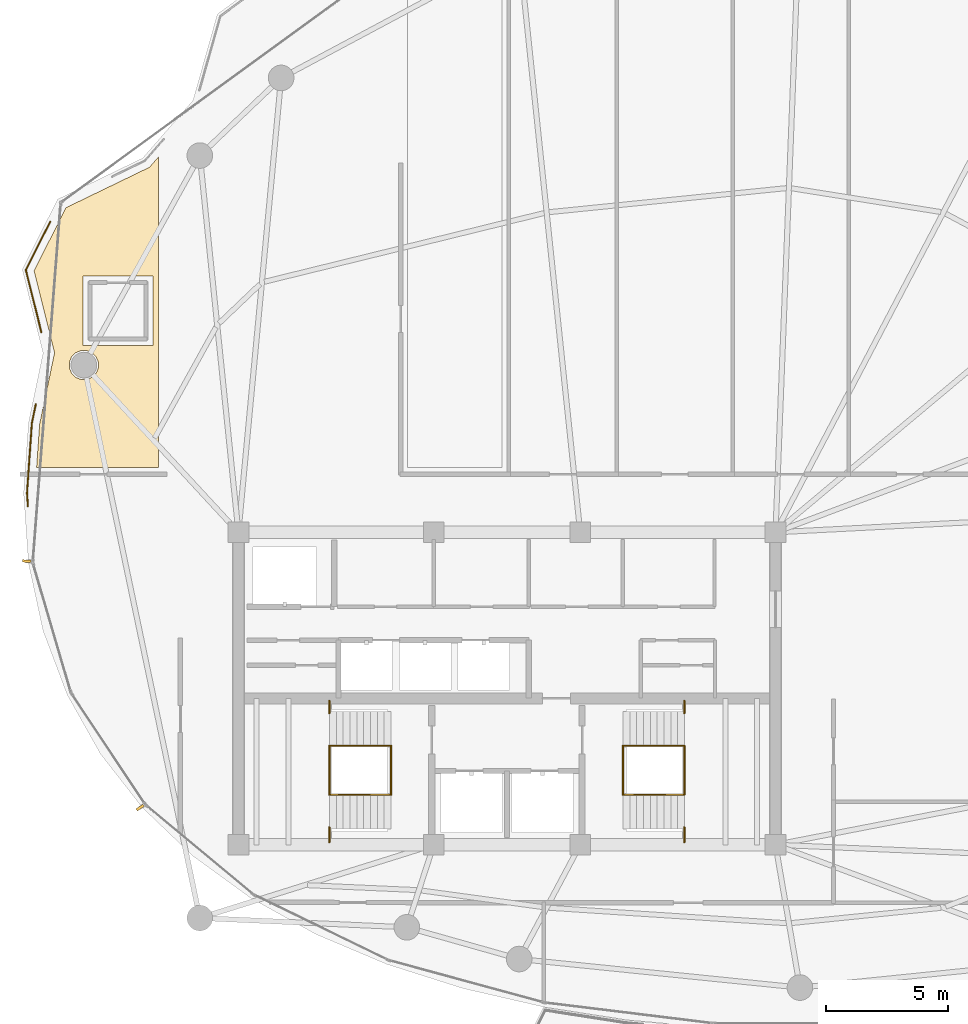
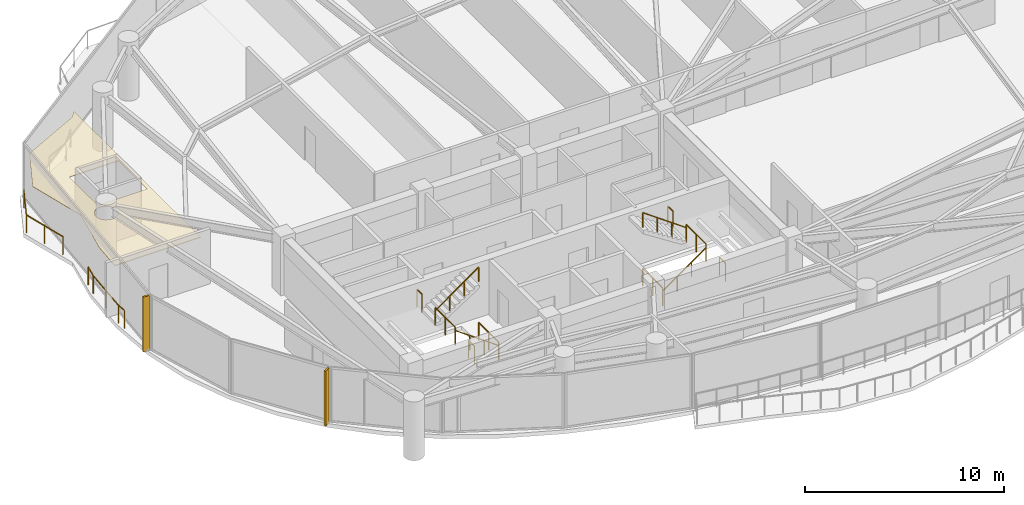
# One storey, part 28 of 30: 14 railings, 2 shading devices, 1 covering.
"""IFC4 building model written with IfcOpenShell, lengths in metres."""

from ifc_helpers import new_model, si_unit, direction, frame, origin, origin_2d, place, context, subcontext, project, spatial, polyline, rectangle, outline, extrude, material, layer, layer_set, type_object, element, save


model = new_model("IFC4")

# Units and contexts
model_context = context("Model", 3, precision=1e-05, world=origin(), true_north=direction((0.0, 1.0)))
body_context = subcontext(model_context, "Body", "Model", "MODEL_VIEW")
ifc_project = project(units=[si_unit("LENGTHUNIT", "METRE"), si_unit("AREAUNIT", "SQUARE_METRE"), si_unit("VOLUMEUNIT", "CUBIC_METRE"), si_unit("PLANEANGLEUNIT", "RADIAN"), si_unit("MASSUNIT", "GRAM", prefix="KILO")], contexts=[model_context])

# Site, building, storey
site_placement = place(None, origin())
site = spatial("IfcSite", under=ifc_project, at=site_placement, CompositionType="ELEMENT")
building_placement = place(site_placement, origin())
building = spatial("IfcBuilding", under=site, at=building_placement, Name="Kazevale Care Tower and Concert Hall", CompositionType="ELEMENT")
storey_placement = place(building_placement, frame((0.0, 0.0, 242.39990234375)))
storey = spatial("IfcBuildingStorey", under=building, at=storey_placement, Name="L64", CompositionType="ELEMENT", Elevation=242.39990234375)

# Covering
ifc_material_1 = material(Name="Acoustic Plaster and Hinoki Wood", Category="wood")
ifc_layer = layer(ifc_material_1, 0.0400390625)
ifc_layer_set = layer_set([ifc_layer], Name="Acoustic Plaster and Hinoki Wood")
covering_type = type_object("IfcCoveringType", Name="Acoustic Perforated Wood-Gypsum Ceiling", PredefinedType="CEILING", material=ifc_layer_set)
covering_placement = place(storey_placement, frame((0.0, 0.0, 2.710205078125)))
element("IfcCovering", 1, at=covering_placement, inside=storey, type_object=covering_type, Name="clg:L64:1", PredefinedType="CEILING", context=body_context, shape_type="SweptSolid", body=[
    extrude(outline(polyline([(13.632080078125, 47.111083984375), (14.93310546875, 49.694091796875), (18.35888671875, 51.35302734375), (18.719970703125, 51.76611328125), (18.719970703125, 39.054931640625), (13.73388671875, 39.054931640625), (13.85693359375, 40.824951171875), (14.468994140625, 43.75), (13.632080078125, 47.111083984375)]), holes=[polyline([(15.637939453125, 46.905029296875), (15.637939453125, 44.044921875), (18.498046875, 44.044921875), (18.498046875, 46.905029296875), (15.637939453125, 46.905029296875)]), polyline([(16.262939453125, 43.367919921875), (16.173095703125, 43.5859375), (16.006103515625, 43.7529296875), (15.7880859375, 43.843017578125), (15.552001953125, 43.843017578125), (15.333984375, 43.7529296875), (15.1669921875, 43.5859375), (15.076904296875, 43.367919921875), (15.076904296875, 43.132080078125), (15.1669921875, 42.9140625), (15.333984375, 42.7470703125), (15.552001953125, 42.656982421875), (15.7880859375, 42.656982421875), (16.006103515625, 42.7470703125), (16.173095703125, 42.9140625), (16.262939453125, 43.132080078125), (16.262939453125, 43.367919921875)])]), origin(), (0.0, 0.0, 1.0), 0.039794921875),
])

# Railings
ifc_material_2 = material(Name="Anodised Bronze Aluminium and Laminated Glass", Category="aluminium")
railing_type_1 = type_object("IfcRailingType", Name="Balcony and Terrace Balustrade 1120", PredefinedType="BALUSTRADE", material=ifc_material_2)
railing_1_placement = place(storey_placement, frame((13.3779296875, 37.467041015625, 0.0)))
element("IfcRailing", 2, at=railing_1_placement, inside=storey, type_object=railing_type_1, Name="rail:L64:perim:1", PredefinedType="BALUSTRADE", context=body_context, shape_type="SweptSolid", body=[
    extrude(rectangle(XDim=0.048095703125, YDim=0.048095703125, at=origin_2d()), frame((0.0, 0.0, 1.09619140625), z_axis=(-0.070824900757, 0.997488763562, 0.0), x_axis=(-0.997488763562, -0.070824900757, 0.0)), (0.0, 0.0, 1.0), 0.5341796875),
    extrude(rectangle(XDim=0.048095703125, YDim=0.048095703125, at=origin_2d()), frame((-0.037841796875, 0.532958984375, 1.09619140625), z_axis=(0.069189590327, 0.997603528758, 0.0), x_axis=(-0.997603528758, 0.069189590327, 0.0)), (0.0, 0.0, 1.0), 2.875732421875),
    extrude(rectangle(XDim=0.048095703125, YDim=0.048095703125, at=origin_2d()), frame((0.1611328125, 3.40185546875, 1.09619140625), z_axis=(0.204489697566, 0.978868716218, 0.0), x_axis=(-0.978868716218, 0.204489697566, 0.0)), (0.0, 0.0, 1.0), 0.801025390625),
    extrude(rectangle(XDim=0.0419921875, YDim=0.0419921875, at=origin_2d()), origin(), (0.0, 0.0, 1.0), 1.072021484375),
    extrude(rectangle(XDim=0.0419921875, YDim=0.0419921875, at=origin_2d()), frame((-0.037841796875, 0.532958984375, 0.0)), (0.0, 0.0, 1.0), 1.072021484375),
    extrude(rectangle(XDim=0.0419921875, YDim=0.0419921875, at=origin_2d()), frame((0.0615234375, 1.96728515625, 0.0)), (0.0, 0.0, 1.0), 1.072021484375),
    extrude(rectangle(XDim=0.0419921875, YDim=0.0419921875, at=origin_2d()), frame((0.1611328125, 3.40185546875, 0.0)), (0.0, 0.0, 1.0), 1.072021484375),
    extrude(rectangle(XDim=0.0419921875, YDim=0.0419921875, at=origin_2d()), frame((0.324951171875, 4.18603515625, 0.0)), (0.0, 0.0, 1.0), 1.072021484375),
])
railing_2_placement = place(storey_placement, frame((13.930908203125, 44.5849609375, 0.0)))
element("IfcRailing", 3, at=railing_2_placement, inside=storey, type_object=railing_type_1, Name="rail:L64:perim:2", PredefinedType="BALUSTRADE", context=body_context, shape_type="SweptSolid", body=[
    extrude(rectangle(XDim=0.048095703125, YDim=0.048095703125, at=origin_2d()), frame((0.0, 0.0, 1.09619140625), z_axis=(-0.241796398664, 0.970327007556, 0.0), x_axis=(-0.970327007556, -0.241796398664, 0.0)), (0.0, 0.0, 1.0), 2.642333984375),
    extrude(rectangle(XDim=0.048095703125, YDim=0.048095703125, at=origin_2d()), frame((-0.638916015625, 2.56396484375, 1.09619140625), z_axis=(0.450269666924, 0.892892617871, 0.0), x_axis=(-0.892892617871, 0.450269666924, 0.0)), (0.0, 0.0, 1.0), 2.202880859375),
    extrude(rectangle(XDim=0.0419921875, YDim=0.0419921875, at=origin_2d()), origin(), (0.0, 0.0, 1.0), 1.072021484375),
    extrude(rectangle(XDim=0.0419921875, YDim=0.0419921875, at=origin_2d()), frame((-0.3193359375, 1.281982421875, 0.0)), (0.0, 0.0, 1.0), 1.072021484375),
    extrude(rectangle(XDim=0.0419921875, YDim=0.0419921875, at=origin_2d()), frame((-0.638916015625, 2.56396484375, 0.0)), (0.0, 0.0, 1.0), 1.072021484375),
    extrude(rectangle(XDim=0.0419921875, YDim=0.0419921875, at=origin_2d()), frame((0.35302734375, 4.531005859375, 0.0)), (0.0, 0.0, 1.0), 1.072021484375),
])
ifc_material_3 = material(Name="Stainless Steel 316", Category="steel")
railing_type_2 = type_object("IfcRailingType", Name="Stair Pitch Handrail 920", PredefinedType="HANDRAIL", material=ifc_material_3)
railing_3_placement = place(storey_placement, frame((28.25, 25.64990234375, 0.0)))
element("IfcRailing", 4, at=railing_3_placement, inside=storey, type_object=railing_type_2, Name="stair:L64:ST1:hr1", PredefinedType="HANDRAIL", context=body_context, shape_type="SweptSolid", body=[
    extrude(rectangle(XDim=0.048095703125, YDim=0.048095703125, at=origin_2d()), frame((0.0, 0.0, 0.89599609375), z_axis=(-0.813728144527, 0.0, 0.581245650998), x_axis=(0.0, -1.0, 0.0)), (0.0, 0.0, 1.0), 3.096923828125),
    extrude(rectangle(XDim=0.0419921875, YDim=0.0419921875, at=origin_2d()), origin(), (0.0, 0.0, 1.0), 0.871826171875),
    extrude(rectangle(XDim=0.0419921875, YDim=0.0419921875, at=origin_2d()), frame((-0.840087890625, 0.0, 0.60009765625)), (0.0, 0.0, 1.0), 0.871826171875),
    extrude(rectangle(XDim=0.0419921875, YDim=0.0419921875, at=origin_2d()), frame((-1.679931640625, 0.0, 1.199951171875)), (0.0, 0.0, 1.0), 0.871826171875),
    extrude(rectangle(XDim=0.0419921875, YDim=0.0419921875, at=origin_2d()), frame((-2.52001953125, 0.0, 1.800048828125)), (0.0, 0.0, 1.0), 0.871826171875),
])
for number, where, name in (
    (5, (25.72998046875, 27.64990234375, 1.800048828125), "stair:L64:ST1:hr2"),
    (6, (37.75, 25.64990234375, 0.0), "stair:L64:ST2:hr1"),
):
    element("IfcRailing", number, at=place(storey_placement, frame(where)), inside=storey, type_object=railing_type_2, Name=name, PredefinedType="HANDRAIL", context=body_context, shape_type="SweptSolid", body=[
        extrude(rectangle(XDim=0.048095703125, YDim=0.048095703125, at=origin_2d()), frame((0.0, 0.0, 0.89599609375), z_axis=(0.813728144527, 0.0, 0.581245650998), x_axis=(0.0, 1.0, 0.0)), (0.0, 0.0, 1.0), 3.096923828125),
        extrude(rectangle(XDim=0.0419921875, YDim=0.0419921875, at=origin_2d()), origin(), (0.0, 0.0, 1.0), 0.871826171875),
        extrude(rectangle(XDim=0.0419921875, YDim=0.0419921875, at=origin_2d()), frame((0.840087890625, 0.0, 0.60009765625)), (0.0, 0.0, 1.0), 0.871826171875),
        extrude(rectangle(XDim=0.0419921875, YDim=0.0419921875, at=origin_2d()), frame((1.679931640625, 0.0, 1.199951171875)), (0.0, 0.0, 1.0), 0.871826171875),
        extrude(rectangle(XDim=0.0419921875, YDim=0.0419921875, at=origin_2d()), frame((2.52001953125, 0.0, 1.800048828125)), (0.0, 0.0, 1.0), 0.871826171875),
    ])
railing_4_placement = place(storey_placement, frame((40.27001953125, 27.64990234375, 1.800048828125)))
element("IfcRailing", 7, at=railing_4_placement, inside=storey, type_object=railing_type_2, Name="stair:L64:ST2:hr2", PredefinedType="HANDRAIL", context=body_context, shape_type="SweptSolid", body=[
    extrude(rectangle(XDim=0.048095703125, YDim=0.048095703125, at=origin_2d()), frame((0.0, 0.0, 0.89599609375), z_axis=(-0.813728144527, 0.0, 0.581245650998), x_axis=(0.0, -1.0, 0.0)), (0.0, 0.0, 1.0), 3.096923828125),
    extrude(rectangle(XDim=0.0419921875, YDim=0.0419921875, at=origin_2d()), origin(), (0.0, 0.0, 1.0), 0.871826171875),
    extrude(rectangle(XDim=0.0419921875, YDim=0.0419921875, at=origin_2d()), frame((-0.840087890625, 0.0, 0.60009765625)), (0.0, 0.0, 1.0), 0.871826171875),
    extrude(rectangle(XDim=0.0419921875, YDim=0.0419921875, at=origin_2d()), frame((-1.679931640625, 0.0, 1.199951171875)), (0.0, 0.0, 1.0), 0.871826171875),
    extrude(rectangle(XDim=0.0419921875, YDim=0.0419921875, at=origin_2d()), frame((-2.52001953125, 0.0, 1.800048828125)), (0.0, 0.0, 1.0), 0.871826171875),
])
railing_type_3 = type_object("IfcRailingType", Name="Stair Well Guard Balustrade 1120", PredefinedType="BALUSTRADE", material=ifc_material_3)
railing_5_placement = place(storey_placement, frame((25.72998046875, 23.699951171875, 1.800048828125)))
element("IfcRailing", 8, at=railing_5_placement, inside=storey, type_object=railing_type_3, Name="stair:L64:ST1:grd_side1", PredefinedType="BALUSTRADE", context=body_context, shape_type="SweptSolid", body=[
    extrude(rectangle(XDim=0.048095703125, YDim=0.048095703125, at=origin_2d()), frame((0.0, 0.0, 1.09619140625), z_axis=(0.0, 1.0, 0.0), x_axis=(-1.0, 0.0, 0.0)), (0.0, 0.0, 1.0), 0.610107421875),
    extrude(rectangle(XDim=0.0419921875, YDim=0.0419921875, at=origin_2d()), origin(), (0.0, 0.0, 1.0), 1.072021484375),
    extrude(rectangle(XDim=0.0419921875, YDim=0.0419921875, at=origin_2d()), frame((0.0, 0.610107421875, 0.0)), (0.0, 0.0, 1.0), 1.072021484375),
])
railing_6_placement = place(storey_placement, frame((25.72998046875, 28.989990234375, 1.800048828125)))
element("IfcRailing", 9, at=railing_6_placement, inside=storey, type_object=railing_type_3, Name="stair:L64:ST1:grd_side2", PredefinedType="BALUSTRADE", context=body_context, shape_type="SweptSolid", body=[
    extrude(rectangle(XDim=0.048095703125, YDim=0.048095703125, at=origin_2d()), frame((0.0, 0.0, 1.09619140625), z_axis=(0.0, 1.0, 0.0), x_axis=(-1.0, 0.0, 0.0)), (0.0, 0.0, 1.0), 0.510009765625),
    extrude(rectangle(XDim=0.0419921875, YDim=0.0419921875, at=origin_2d()), origin(), (0.0, 0.0, 1.0), 1.072021484375),
    extrude(rectangle(XDim=0.0419921875, YDim=0.0419921875, at=origin_2d()), frame((0.0, 0.510009765625, 0.0)), (0.0, 0.0, 1.0), 1.072021484375),
])
for number, where, name in (
    (10, (25.72998046875, 25.64990234375, 1.800048828125), "stair:L64:ST1:grd_mid"),
    (11, (28.25, 25.64990234375, 0.0), "stair:L64:ST1:grd_flr"),
):
    element("IfcRailing", number, at=place(storey_placement, frame(where)), inside=storey, type_object=railing_type_3, Name=name, PredefinedType="BALUSTRADE", context=body_context, shape_type="SweptSolid", body=[
        extrude(rectangle(XDim=0.048095703125, YDim=0.048095703125, at=origin_2d()), frame((0.0, 0.0, 1.09619140625), z_axis=(0.0, 1.0, 0.0), x_axis=(-1.0, 0.0, 0.0)), (0.0, 0.0, 1.0), 2.0),
        extrude(rectangle(XDim=0.0419921875, YDim=0.0419921875, at=origin_2d()), origin(), (0.0, 0.0, 1.0), 1.072021484375),
        extrude(rectangle(XDim=0.0419921875, YDim=0.0419921875, at=origin_2d()), frame((0.0, 1.0, 0.0)), (0.0, 0.0, 1.0), 1.072021484375),
        extrude(rectangle(XDim=0.0419921875, YDim=0.0419921875, at=origin_2d()), frame((0.0, 2.0, 0.0)), (0.0, 0.0, 1.0), 1.072021484375),
    ])
railing_7_placement = place(storey_placement, frame((40.27001953125, 23.699951171875, 1.800048828125)))
element("IfcRailing", 12, at=railing_7_placement, inside=storey, type_object=railing_type_3, Name="stair:L64:ST2:grd_side1", PredefinedType="BALUSTRADE", context=body_context, shape_type="SweptSolid", body=[
    extrude(rectangle(XDim=0.048095703125, YDim=0.048095703125, at=origin_2d()), frame((0.0, 0.0, 1.09619140625), z_axis=(0.0, 1.0, 0.0), x_axis=(-1.0, 0.0, 0.0)), (0.0, 0.0, 1.0), 0.610107421875),
    extrude(rectangle(XDim=0.0419921875, YDim=0.0419921875, at=origin_2d()), origin(), (0.0, 0.0, 1.0), 1.072021484375),
    extrude(rectangle(XDim=0.0419921875, YDim=0.0419921875, at=origin_2d()), frame((0.0, 0.610107421875, 0.0)), (0.0, 0.0, 1.0), 1.072021484375),
])
railing_8_placement = place(storey_placement, frame((40.27001953125, 28.989990234375, 1.800048828125)))
element("IfcRailing", 13, at=railing_8_placement, inside=storey, type_object=railing_type_3, Name="stair:L64:ST2:grd_side2", PredefinedType="BALUSTRADE", context=body_context, shape_type="SweptSolid", body=[
    extrude(rectangle(XDim=0.048095703125, YDim=0.048095703125, at=origin_2d()), frame((0.0, 0.0, 1.09619140625), z_axis=(0.0, 1.0, 0.0), x_axis=(-1.0, 0.0, 0.0)), (0.0, 0.0, 1.0), 0.510009765625),
    extrude(rectangle(XDim=0.0419921875, YDim=0.0419921875, at=origin_2d()), origin(), (0.0, 0.0, 1.0), 1.072021484375),
    extrude(rectangle(XDim=0.0419921875, YDim=0.0419921875, at=origin_2d()), frame((0.0, 0.510009765625, 0.0)), (0.0, 0.0, 1.0), 1.072021484375),
])
for number, where, name in (
    (14, (40.27001953125, 25.64990234375, 1.800048828125), "stair:L64:ST2:grd_mid"),
    (15, (37.75, 25.64990234375, 0.0), "stair:L64:ST2:grd_flr"),
):
    element("IfcRailing", number, at=place(storey_placement, frame(where)), inside=storey, type_object=railing_type_3, Name=name, PredefinedType="BALUSTRADE", context=body_context, shape_type="SweptSolid", body=[
        extrude(rectangle(XDim=0.048095703125, YDim=0.048095703125, at=origin_2d()), frame((0.0, 0.0, 1.09619140625), z_axis=(0.0, 1.0, 0.0), x_axis=(-1.0, 0.0, 0.0)), (0.0, 0.0, 1.0), 2.0),
        extrude(rectangle(XDim=0.0419921875, YDim=0.0419921875, at=origin_2d()), origin(), (0.0, 0.0, 1.0), 1.072021484375),
        extrude(rectangle(XDim=0.0419921875, YDim=0.0419921875, at=origin_2d()), frame((0.0, 1.0, 0.0)), (0.0, 0.0, 1.0), 1.072021484375),
        extrude(rectangle(XDim=0.0419921875, YDim=0.0419921875, at=origin_2d()), frame((0.0, 2.0, 0.0)), (0.0, 0.0, 1.0), 1.072021484375),
    ])

# Shading devices
ifc_material_4 = material(Name="Anodised Bronze Aluminium", Category="aluminium")
shading_device_type = type_object("IfcShadingDeviceType", Name="Waist Anodised Bronze-Stone Fin FIN-02", PredefinedType="USERDEFINED", material=ifc_material_4)
for number, where, z_axis, x_axis, name in (
    (16, (17.972900390625, 25.121337890625, 0.0), (0.0, 0.0, 1.0), (-0.832147748683, -0.554553986878, 0.0), "cw:L64:f11:fin"),
    (17, (13.326904296875, 35.216796875, 0.0), (0.0, 0.0, 1.0), (-0.996985422604, 0.077589091471, 0.0), "cw:L64:f13:fin"),
):
    element("IfcShadingDevice", number, at=place(storey_placement, frame(where, z_axis=z_axis, x_axis=x_axis)), inside=storey, type_object=shading_device_type, Name=name, ObjectType="FIN", PredefinedType="USERDEFINED", context=body_context, shape_type="SweptSolid", body=[
        extrude(rectangle(XDim=0.340087890625, YDim=0.10009765625, at=origin_2d()), origin(), (0.0, 0.0, 1.0), 3.360107421875),
    ])

save(model, "model.ifc")
